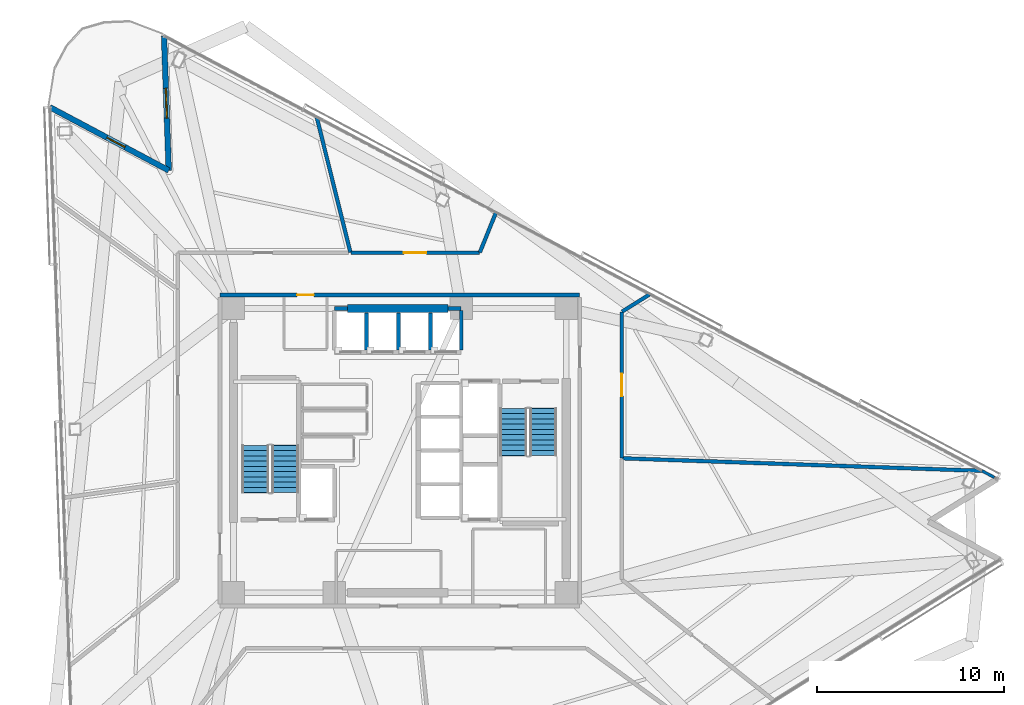
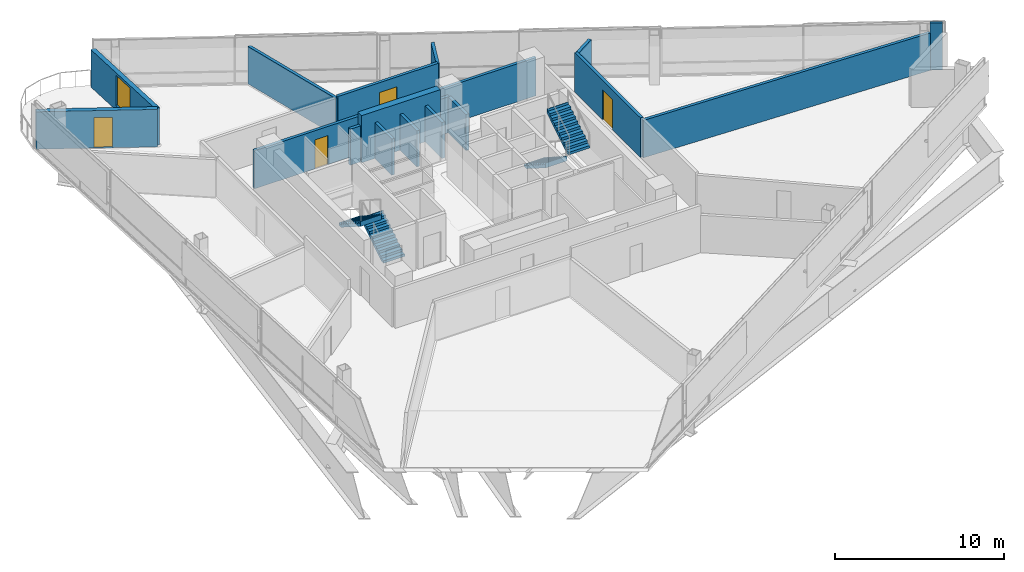
# One storey, part 14 of 20: 17 walls, 4 doors, 4 stair flights, 1 window, 5 openings, 2 elements without a shape of their own.
"""IFC4 building model written with IfcOpenShell, lengths in metres."""

from ifc_helpers import new_model, si_unit, direction, frame, frame_2d, origin, place, context, subcontext, project, spatial, polyline, rectangle, outline, extrude, material, layer, layer_set, type_object, element, fill, aggregate, save


model = new_model("IFC4")

# Units and contexts
model_context = context("Model", 3, precision=1e-05, world=origin(), true_north=direction((0.0, 1.0)))
body_context = subcontext(model_context, "Body", "Model", "MODEL_VIEW")
ifc_project = project(units=[si_unit("LENGTHUNIT", "METRE"), si_unit("AREAUNIT", "SQUARE_METRE"), si_unit("VOLUMEUNIT", "CUBIC_METRE"), si_unit("PLANEANGLEUNIT", "RADIAN"), si_unit("MASSUNIT", "GRAM", prefix="KILO")], contexts=[model_context])

# Site, building, storey
site_placement = place(None, origin())
site = spatial("IfcSite", under=ifc_project, at=site_placement, CompositionType="ELEMENT")
building_placement = place(site_placement, origin())
building = spatial("IfcBuilding", under=site, at=building_placement, Name="Tharavind Bronze Gate", CompositionType="ELEMENT")
storey_placement = place(building_placement, frame((0.0, 0.0, 138.800048828125)))
storey = spatial("IfcBuildingStorey", under=building, at=storey_placement, Name="L35", CompositionType="ELEMENT", Elevation=138.800048828125)

# Wall, opening, window
ifc_material_1 = material(Name="Concrete C40/50", Category="concrete")
ifc_layer_1 = layer(ifc_material_1, 0.300048828125)
ifc_layer_set_1 = layer_set([ifc_layer_1], Name="Concrete C40/50")
wall_type_1 = type_object("IfcWallType", Name="EXTERIOR SPANDREL WALL 300", PredefinedType="STANDARD", material=ifc_layer_set_1)
wall_1_placement = place(storey_placement, frame((-12.614013671875, 22.179931640625, 0.0), z_axis=(0.0, 0.0, 1.0), x_axis=(0.034925918675, -0.999389903994, 0.0)))
wall_1 = element("IfcWall", 1, at=wall_1_placement, inside=storey, type_object=wall_type_1, Name="L35 notch cheek wall 1A", PredefinedType="STANDARD", context=body_context, shape_type="SweptSolid", body=[
    extrude(rectangle(XDim=7.199951171875, YDim=0.300048828125, at=frame_2d((3.60009765625, 0.0))), origin(), (0.0, 0.0, 1.0), 2.704833984375),
])
opening_1_placement = place(wall_1_placement, frame((2.800048828125, 0.0, 0.324951171875)))
opening_1 = element("IfcOpeningElement", 2, at=opening_1_placement, cuts=wall_1, Name="Opening W05", PredefinedType="OPENING", context=body_context, shape_type="SweptSolid", body=[
    extrude(rectangle(XDim=1.60009765625, YDim=2.199951171875, at=frame_2d((0.800048828125, 1.10009765625))), frame((0.0, 0.15990234375, 0.0), z_axis=(0.0, -1.0, 0.0), x_axis=(1.0, 0.0, 0.0)), (0.0, 0.0, 1.0), 0.320048828125),
])
ifc_material_2 = material(Name="Bronze Aluminium & Low-E Glass", Category="aluminium")
window_type = type_object("IfcWindowType", Name="OFFICE NOTCH BRONZE WINDOW 1600X2200", PartitioningType="DOUBLE_PANEL_VERTICAL", PredefinedType="WINDOW", material=ifc_material_2)
window_placement = place(opening_1_placement, origin())
window = element("IfcWindow", 3, at=window_placement, inside=storey, type_object=window_type, Name="L35 exterior window WL-L35-NCB1-01", OverallHeight=2.199951171875, OverallWidth=1.60009765625, PartitioningType="SINGLE_PANEL", PredefinedType="WINDOW", context=body_context, shape_type="SweptSolid", body=[
    extrude(rectangle(XDim=1.60009765625, YDim=2.199951171875, at=frame_2d((0.800048828125, 1.10009765625))), frame((0.0, 0.030029296875, 0.0), z_axis=(0.0, -1.0, 0.0), x_axis=(1.0, 0.0, 0.0)), (0.0, 0.0, 1.0), 0.06005859375),
])
fill(opening_1, window)

# Wall, opening, door
wall_2_placement = place(storey_placement, frame((-12.362548828125, 14.984375, 0.0), z_axis=(0.0, 0.0, 1.0), x_axis=(-0.882950149473, 0.469466754463, 0.0)))
wall_2 = element("IfcWall", 4, at=wall_2_placement, inside=storey, type_object=wall_type_1, Name="L35 notch cheek wall 1B", PredefinedType="STANDARD", context=body_context, shape_type="SweptSolid", body=[
    extrude(rectangle(XDim=7.199951171875, YDim=0.300048828125, at=frame_2d((3.60009765625, 0.0))), origin(), (0.0, 0.0, 1.0), 2.704833984375),
])
opening_2_placement = place(wall_2_placement, frame((2.654052734375, 0.0, 0.0)))
opening_2 = element("IfcOpeningElement", 5, at=opening_2_placement, cuts=wall_2, Name="Opening ED04", PredefinedType="OPENING", context=body_context, shape_type="SweptSolid", body=[
    extrude(rectangle(XDim=1.10009765625, YDim=2.199951171875, at=frame_2d((0.550048828125, 1.10009765625))), frame((0.0, 0.15990234375, 0.0), z_axis=(0.0, -1.0, 0.0), x_axis=(1.0, 0.0, 0.0)), (0.0, 0.0, 1.0), 0.320048828125),
])
ifc_material_3 = material(Name="Bronze Aluminium & Toughened Glass", Category="aluminium")
door_type_1 = type_object("IfcDoorType", Name="TREE BALCONY ACCESS DOOR 1100X2200", OperationType="SINGLE_SWING_LEFT", PredefinedType="DOOR", material=ifc_material_3)
door_1_placement = place(opening_2_placement, frame((1.10009765625, 0.0, 0.0), z_axis=(0.0, 0.0, 1.0), x_axis=(-1.0, 0.0, 0.0)))
door_1 = element("IfcDoor", 6, at=door_1_placement, inside=storey, type_object=door_type_1, Name="L35 tree balcony access door", OperationType="SINGLE_SWING_LEFT", OverallHeight=2.199951171875, OverallWidth=1.10009765625, PredefinedType="DOOR", context=body_context, shape_type="SweptSolid", body=[
    extrude(rectangle(XDim=1.10009765625, YDim=2.199951171875, at=frame_2d((0.550048828125, 1.10009765625))), frame((0.0, 0.02490234375, 0.0), z_axis=(0.0, -1.0, 0.0), x_axis=(1.0, 0.0, 0.0)), (0.0, 0.0, 1.0), 0.050048828125),
])
fill(opening_2, door_1)

ifc_material_4 = material(Name="Aerated Concrete Block", Category="concrete")
ifc_layer_2 = layer(ifc_material_4, 0.199951171875)
ifc_layer_set_2 = layer_set([ifc_layer_2], Name="Aerated Concrete Block")
wall_type_2 = type_object("IfcWallType", Name="FIRE RATED PARTITION 200", PredefinedType="PARTITIONING", material=ifc_layer_set_2)
wall_3_placement = place(storey_placement, frame((9.6201171875, 8.320068359375, 0.0), z_axis=(0.0, 0.0, 1.0), x_axis=(-1.0, 0.0, 0.0)))
wall_3 = element("IfcWall", 7, at=wall_3_placement, inside=storey, type_object=wall_type_2, Name="L35 north core corridor wall", PredefinedType="PARTITIONING", context=body_context, shape_type="SweptSolid", body=[
    extrude(rectangle(XDim=19.240234375, YDim=0.199951171875, at=frame_2d((9.6201171875, 0.0))), origin(), (0.0, 0.0, 1.0), 2.7548828125),
])
opening_3_placement = place(wall_3_placement, frame((14.219970703125, 0.0, 0.0)))
opening_3 = element("IfcOpeningElement", 8, at=opening_3_placement, cuts=wall_3, Name="Opening ID07", PredefinedType="OPENING", context=body_context, shape_type="SweptSolid", body=[
    extrude(rectangle(XDim=0.89990234375, YDim=2.10009765625, at=frame_2d((0.449951171875, 1.050048828125))), frame((0.0, 0.11009765625, 0.0), z_axis=(0.0, -1.0, 0.0), x_axis=(1.0, 0.0, 0.0)), (0.0, 0.0, 1.0), 0.219951171875),
])
ifc_material_5 = material(Name="Galvanised Fire Steel", Category="steel")
door_type_2 = type_object("IfcDoorType", Name="PLANT AND RISER FIRE DOOR 900X2100", OperationType="SINGLE_SWING_LEFT", PredefinedType="DOOR", material=ifc_material_5)
door_2_placement = place(opening_3_placement, origin())
door_2 = element("IfcDoor", 9, at=door_2_placement, inside=storey, type_object=door_type_2, Name="L35 Electrical Switch Cupboard fire door", OperationType="SINGLE_SWING_LEFT", OverallHeight=2.10009765625, OverallWidth=0.89990234375, PredefinedType="DOOR", context=body_context, shape_type="SweptSolid", body=[
    extrude(rectangle(XDim=0.89990234375, YDim=2.10009765625, at=frame_2d((0.449951171875, 1.050048828125))), frame((0.0, 0.02490234375, 0.0), z_axis=(0.0, -1.0, 0.0), x_axis=(1.0, 0.0, 0.0)), (0.0, 0.0, 1.0), 0.050048828125),
])
fill(opening_3, door_2)

# Walls
wall_4_placement = place(storey_placement, frame((11.906005859375, -0.415771484375, 0.0), z_axis=(0.0, 0.0, 1.0), x_axis=(0.999390899128, -0.034897431724, 0.0)))
element("IfcWall", 10, at=wall_4_placement, inside=storey, type_object=wall_type_2, Name="L35 Public Restrooms Block partition", PredefinedType="PARTITIONING", context=body_context, shape_type="SweptSolid", body=[
    extrude(rectangle(XDim=19.245849609375, YDim=0.199951171875, at=frame_2d((9.623046875, 0.0))), origin(), (0.0, 0.0, 1.0), 2.704833984375),
])
wall_5_placement = place(storey_placement, frame((5.1376953125, 12.7158203125, 0.0), z_axis=(0.0, 0.0, 1.0), x_axis=(-0.374646634577, -0.927167675882, 0.0)))
element("IfcWall", 11, at=wall_5_placement, inside=storey, type_object=wall_type_2, Name="L35 Sky Garden View Lounge partition", PredefinedType="PARTITIONING", context=body_context, shape_type="SweptSolid", body=[
    extrude(rectangle(XDim=2.28662109375, YDim=0.199951171875, at=frame_2d((1.143310546875, 0.0))), origin(), (0.0, 0.0, 1.0), 2.704833984375),
])

# Wall, opening, door
wall_6_placement = place(storey_placement, frame((4.2578125, 10.580078125, 0.0), z_axis=(0.0, 0.0, 1.0), x_axis=(-1.0, 0.0, 0.0)))
wall_6 = element("IfcWall", 12, at=wall_6_placement, inside=storey, type_object=wall_type_2, Name="L35 Sky Garden View Lounge partition", PredefinedType="PARTITIONING", context=body_context, shape_type="SweptSolid", body=[
    extrude(rectangle(XDim=6.876220703125, YDim=0.199951171875, at=frame_2d((3.43798828125, 0.0))), origin(), (0.0, 0.0, 1.0), 2.85498046875),
])
opening_4_placement = place(wall_6_placement, frame((2.837890625, 0.0, 0.0)))
opening_4 = element("IfcOpeningElement", 13, at=opening_4_placement, cuts=wall_6, Name="Opening ID05", PredefinedType="OPENING", context=body_context, shape_type="SweptSolid", body=[
    extrude(rectangle(XDim=1.199951171875, YDim=2.14990234375, at=frame_2d((0.60009765625, 1.074951171875))), frame((0.0, 0.11009765625, 0.0), z_axis=(0.0, -1.0, 0.0), x_axis=(1.0, 0.0, 0.0)), (0.0, 0.0, 1.0), 0.219951171875),
])
ifc_material_6 = material(Name="Acoustic Laminated Glass", Category="glass")
door_type_3 = type_object("IfcDoorType", Name="MEETING ROOM GLAZED DOOR 1200X2150", OperationType="SINGLE_SWING_LEFT", PredefinedType="DOOR", material=ifc_material_6)
door_3_placement = place(opening_4_placement, origin())
door_3 = element("IfcDoor", 14, at=door_3_placement, inside=storey, type_object=door_type_3, Name="L35 Sky Garden View Lounge door", OperationType="SINGLE_SWING_LEFT", OverallHeight=2.14990234375, OverallWidth=1.199951171875, PredefinedType="DOOR", context=body_context, shape_type="SweptSolid", body=[
    extrude(rectangle(XDim=1.199951171875, YDim=2.14990234375, at=frame_2d((0.60009765625, 1.074951171875))), frame((0.0, 0.02490234375, 0.0), z_axis=(0.0, -1.0, 0.0), x_axis=(1.0, 0.0, 0.0)), (0.0, 0.0, 1.0), 0.050048828125),
])
fill(opening_4, door_3)

# Wall
wall_7_placement = place(storey_placement, frame((-2.642578125, 10.59912109375, 0.0), z_axis=(0.0, 0.0, 1.0), x_axis=(-0.241942663227, 0.970290548089, 0.0)))
element("IfcWall", 15, at=wall_7_placement, inside=storey, type_object=wall_type_2, Name="L35 Sky Garden View Lounge partition", PredefinedType="PARTITIONING", context=body_context, shape_type="SweptSolid", body=[
    extrude(rectangle(XDim=7.460205078125, YDim=0.199951171875, at=frame_2d((3.72998046875, 0.0))), origin(), (0.0, 0.0, 1.0), 2.704833984375),
])

# Wall, opening, door
wall_8_placement = place(storey_placement, frame((11.8798828125, -0.390625, 0.0), z_axis=(0.0, 0.0, 1.0), x_axis=(0.0, 1.0, 0.0)))
wall_8 = element("IfcWall", 16, at=wall_8_placement, inside=storey, type_object=wall_type_2, Name="L35 Strategy Room partition", PredefinedType="PARTITIONING", context=body_context, shape_type="SweptSolid", body=[
    extrude(rectangle(XDim=7.80029296875, YDim=0.199951171875, at=frame_2d((3.900146484375, 0.0))), origin(), (0.0, 0.0, 1.0), 2.85498046875),
])
opening_5_placement = place(wall_8_placement, frame((3.300048828125, 0.0, 0.0)))
opening_5 = element("IfcOpeningElement", 17, at=opening_5_placement, cuts=wall_8, Name="Opening ID05", PredefinedType="OPENING", context=body_context, shape_type="SweptSolid", body=[
    extrude(rectangle(XDim=1.199951171875, YDim=2.14990234375, at=frame_2d((0.60009765625, 1.074951171875))), frame((0.0, 0.11009765625, 0.0), z_axis=(0.0, -1.0, 0.0), x_axis=(1.0, 0.0, 0.0)), (0.0, 0.0, 1.0), 0.219951171875),
])
door_4_placement = place(opening_5_placement, origin())
door_4 = element("IfcDoor", 18, at=door_4_placement, inside=storey, type_object=door_type_3, Name="L35 Strategy Room door", OperationType="SINGLE_SWING_LEFT", OverallHeight=2.14990234375, OverallWidth=1.199951171875, PredefinedType="DOOR", context=body_context, shape_type="SweptSolid", body=[
    extrude(rectangle(XDim=1.199951171875, YDim=2.14990234375, at=frame_2d((0.60009765625, 1.074951171875))), frame((0.0, 0.02490234375, 0.0), z_axis=(0.0, -1.0, 0.0), x_axis=(1.0, 0.0, 0.0)), (0.0, 0.0, 1.0), 0.050048828125),
])
fill(opening_5, door_4)

# Walls
wall_9_placement = place(storey_placement, frame((11.891845703125, 7.430908203125, 0.0), z_axis=(0.0, 0.0, 1.0), x_axis=(0.848045643795, 0.529923188811, 0.0)))
element("IfcWall", 19, at=wall_9_placement, inside=storey, type_object=wall_type_2, Name="L35 Strategy Room partition", PredefinedType="PARTITIONING", context=body_context, shape_type="SweptSolid", body=[
    extrude(rectangle(XDim=1.73828125, YDim=0.199951171875, at=frame_2d((0.869140625, 0.0))), origin(), (0.0, 0.0, 1.0), 2.704833984375),
])
ifc_material_7 = material(Name="Twin Stud Acoustic Gypsum", Category="gypsum")
ifc_layer_3 = layer(ifc_material_7, 0.14990234375)
ifc_layer_set_3 = layer_set([ifc_layer_3], Name="Twin Stud Acoustic Gypsum")
wall_type_3 = type_object("IfcWallType", Name="INTERIOR PARTITION WALL 150", PredefinedType="PARTITIONING", material=ifc_layer_set_3)
wall_10_placement = place(storey_placement, frame((31.15087890625, -1.09033203125, 0.0), z_axis=(0.0, 0.0, 1.0), x_axis=(0.883026217121, -0.469323662175, 0.0)))
element("IfcWall", 20, at=wall_10_placement, inside=storey, type_object=wall_type_3, Name="L35 Public Restrooms Block partition", PredefinedType="PARTITIONING", context=body_context, shape_type="SweptSolid", body=[
    extrude(rectangle(XDim=0.74169921875, YDim=0.14990234375, at=frame_2d((0.370849609375, 0.0))), origin(), (0.0, 0.0, 1.0), 3.409912109375),
])
ifc_material_8 = material(Name="Concrete C60/75", Category="concrete")
ifc_layer_4 = layer(ifc_material_8, 0.449951171875)
ifc_layer_set_4 = layer_set([ifc_layer_4], Name="Concrete C60/75")
wall_type_4 = type_object("IfcWallType", Name="RC CORE SHEAR WALL 450", PredefinedType="SHEAR", material=ifc_layer_set_4)
wall_11_placement = place(storey_placement, frame((-2.800048828125, 7.60009765625, 0.0), z_axis=(0.0, 0.0, 1.0), x_axis=(1.0, 0.0, 0.0)))
element("IfcWall", 21, at=wall_11_placement, inside=storey, type_object=wall_type_4, Name="L35 north core shear wall", PredefinedType="SHEAR", context=body_context, shape_type="SweptSolid", body=[
    extrude(rectangle(XDim=5.380126953125, YDim=0.449951171875, at=frame_2d((2.68994140625, 0.0))), origin(), (0.0, 0.0, 1.0), 3.409912109375),
])
ifc_layer_5 = layer(ifc_material_1, 0.199951171875)
ifc_layer_set_5 = layer_set([ifc_layer_5], Name="Concrete C40/50")
wall_type_5 = type_object("IfcWallType", Name="SHAFT ENCLOSURE WALL 200", PredefinedType="PARTITIONING", material=ifc_layer_set_5)
wall_12_placement = place(storey_placement, frame((-3.5, 7.60009765625, 0.0), z_axis=(0.0, 0.0, 1.0), x_axis=(1.0, 0.0, 0.0)))
element("IfcWall", 22, at=wall_12_placement, inside=storey, type_object=wall_type_5, Name="L35 lift PL5 shaft N enclosure wall", PredefinedType="PARTITIONING", context=body_context, shape_type="SweptSolid", body=[
    extrude(rectangle(XDim=0.699951171875, YDim=0.199951171875, at=frame_2d((0.35009765625, 0.0))), origin(), (0.0, 0.0, 1.0), 2.60498046875),
])
for number, where, z_axis, x_axis, name in (
    (23, (-1.78759765625, 5.3798828125, 0.0), (0.0, 0.0, 1.0), (0.0, 1.0, 0.0), "L35 lift PL5 shaft E enclosure wall"),
    (24, (-0.074951171875, 5.3798828125, 0.0), (0.0, 0.0, 1.0), (0.0, 1.0, 0.0), "L35 lift PL6 shaft E enclosure wall"),
    (25, (1.637451171875, 5.3798828125, 0.0), (0.0, 0.0, 1.0), (0.0, 1.0, 0.0), "L35 lift PL7 shaft E enclosure wall"),
):
    element("IfcWall", number, at=place(storey_placement, frame(where, z_axis=z_axis, x_axis=x_axis)), inside=storey, type_object=wall_type_5, Name=name, PredefinedType="PARTITIONING", context=body_context, shape_type="SweptSolid", body=[
        extrude(rectangle(XDim=1.990234375, YDim=0.199951171875, at=frame_2d((0.9951171875, 0.0))), origin(), (0.0, 0.0, 1.0), 2.60498046875),
    ])
wall_13_placement = place(storey_placement, frame((2.580078125, 7.60009765625, 0.0), z_axis=(0.0, 0.0, 1.0), x_axis=(1.0, 0.0, 0.0)))
element("IfcWall", 26, at=wall_13_placement, inside=storey, type_object=wall_type_5, Name="L35 lift PL8 shaft N enclosure wall", PredefinedType="PARTITIONING", context=body_context, shape_type="SweptSolid", body=[
    extrude(rectangle(XDim=0.699951171875, YDim=0.199951171875, at=frame_2d((0.35009765625, 0.0))), origin(), (0.0, 0.0, 1.0), 2.60498046875),
])
wall_14_placement = place(storey_placement, frame((3.280029296875, 5.3798828125, 0.0), z_axis=(0.0, 0.0, 1.0), x_axis=(0.0, 1.0, 0.0)))
element("IfcWall", 27, at=wall_14_placement, inside=storey, type_object=wall_type_5, Name="L35 lift PL8 shaft E enclosure wall", PredefinedType="PARTITIONING", context=body_context, shape_type="SweptSolid", body=[
    extrude(rectangle(XDim=2.115234375, YDim=0.199951171875, at=frame_2d((1.0576171875, 0.0))), origin(), (0.0, 0.0, 1.0), 2.60498046875),
])

# Stair, stair flights
stair_type = type_object("IfcStairType", Name="CORE HALF TURN STAIR 1450", PredefinedType="HALF_TURN_STAIR", material=ifc_material_1)
stair_1_placement = place(storey_placement, origin())
stair_1 = element("IfcStair", 28, at=stair_1_placement, inside=storey, type_object=stair_type, Name="L35 Protected Exit Stair ST1", PredefinedType="HALF_TURN_STAIR")
stair_flight_type = type_object("IfcStairFlightType", Name="CORE STAIR FLIGHT 1450", PredefinedType="STRAIGHT", material=ifc_material_1)
stair_flight_1_placement = place(storey_placement, frame((-6.125, -2.25, 0.0), z_axis=(0.0, 0.0, 1.0), x_axis=(0.0, 1.0, 0.0)))
stair_flight_1 = element("IfcStairFlight", 29, at=stair_flight_1_placement, type_object=stair_flight_type, Name="ST1 flight 1", NumberOfRisers=10, NumberOfTreads=9, PredefinedType="STRAIGHT", RiserHeight=0.18, TreadLength=0.28, context=body_context, shape_type="SweptSolid", body=[
    extrude(outline(polyline([(0.0, 0.0), (0.0, 0.179931640625), (0.280029296875, 0.179931640625), (0.280029296875, 0.360107421875), (0.56005859375, 0.360107421875), (0.56005859375, 0.5400390625), (0.840087890625, 0.5400390625), (0.840087890625, 0.719970703125), (1.1201171875, 0.719970703125), (1.1201171875, 0.89990234375), (1.39990234375, 0.89990234375), (1.39990234375, 1.080078125), (1.679931640625, 1.080078125), (1.679931640625, 1.260009765625), (1.9599609375, 1.260009765625), (1.9599609375, 1.43994140625), (2.239990234375, 1.43994140625), (2.239990234375, 1.6201171875), (2.52001953125, 1.6201171875), (2.52001953125, 1.800048828125), (2.555908203125, 1.800048828125), (2.555908203125, 1.44189453125), (0.277099609375, 0.0), (0.0, 0.0)])), frame((0.0, 0.72509765625, 0.0), z_axis=(0.0, -1.0, 0.0), x_axis=(1.0, 0.0, 0.0)), (0.0, 0.0, 1.0), 1.449951171875),
])
stair_flight_2_placement = place(storey_placement, frame((-7.72509765625, 0.27001953125, 1.800048828125), z_axis=(0.0, 0.0, 1.0), x_axis=(0.0, -1.0, 0.0)))
stair_flight_2 = element("IfcStairFlight", 30, at=stair_flight_2_placement, type_object=stair_flight_type, Name="ST1 flight 2", NumberOfRisers=10, NumberOfTreads=9, PredefinedType="STRAIGHT", RiserHeight=0.18, TreadLength=0.28, context=body_context, shape_type="SweptSolid", body=[
    extrude(outline(polyline([(0.0, 0.0), (0.0, 0.179931640625), (0.280029296875, 0.179931640625), (0.280029296875, 0.360107421875), (0.56005859375, 0.360107421875), (0.56005859375, 0.5400390625), (0.840087890625, 0.5400390625), (0.840087890625, 0.719970703125), (1.1201171875, 0.719970703125), (1.1201171875, 0.89990234375), (1.39990234375, 0.89990234375), (1.39990234375, 1.080078125), (1.679931640625, 1.080078125), (1.679931640625, 1.260009765625), (1.9599609375, 1.260009765625), (1.9599609375, 1.43994140625), (2.239990234375, 1.43994140625), (2.239990234375, 1.6201171875), (2.52001953125, 1.6201171875), (2.52001953125, 1.800048828125), (2.555908203125, 1.800048828125), (2.555908203125, 1.44189453125), (0.277099609375, 0.0), (0.0, 0.0)])), frame((0.0, 0.72509765625, 0.0), z_axis=(0.0, -1.0, 0.0), x_axis=(1.0, 0.0, 0.0)), (0.0, 0.0, 1.0), 1.449951171875),
])
aggregate(stair_1, [stair_flight_1, stair_flight_2])

stair_2_placement = place(storey_placement, origin())
stair_2 = element("IfcStair", 31, at=stair_2_placement, inside=storey, type_object=stair_type, Name="L35 Protected Exit Stair ST2", PredefinedType="HALF_TURN_STAIR")
stair_flight_3_placement = place(storey_placement, frame((6.074951171875, 2.25, 0.0), z_axis=(0.0, 0.0, 1.0), x_axis=(0.0, -1.0, 0.0)))
stair_flight_3 = element("IfcStairFlight", 32, at=stair_flight_3_placement, type_object=stair_flight_type, Name="ST2 flight 1", NumberOfRisers=10, NumberOfTreads=9, PredefinedType="STRAIGHT", RiserHeight=0.18, TreadLength=0.28, context=body_context, shape_type="SweptSolid", body=[
    extrude(outline(polyline([(0.0, 0.0), (0.0, 0.179931640625), (0.280029296875, 0.179931640625), (0.280029296875, 0.360107421875), (0.56005859375, 0.360107421875), (0.56005859375, 0.5400390625), (0.840087890625, 0.5400390625), (0.840087890625, 0.719970703125), (1.1201171875, 0.719970703125), (1.1201171875, 0.89990234375), (1.39990234375, 0.89990234375), (1.39990234375, 1.080078125), (1.679931640625, 1.080078125), (1.679931640625, 1.260009765625), (1.9599609375, 1.260009765625), (1.9599609375, 1.43994140625), (2.239990234375, 1.43994140625), (2.239990234375, 1.6201171875), (2.52001953125, 1.6201171875), (2.52001953125, 1.800048828125), (2.555908203125, 1.800048828125), (2.555908203125, 1.44189453125), (0.277099609375, 0.0), (0.0, 0.0)])), frame((0.0, 0.72509765625, 0.0), z_axis=(0.0, -1.0, 0.0), x_axis=(1.0, 0.0, 0.0)), (0.0, 0.0, 1.0), 1.449951171875),
])
stair_flight_4_placement = place(storey_placement, frame((7.675048828125, -0.27001953125, 1.800048828125), z_axis=(0.0, 0.0, 1.0), x_axis=(0.0, 1.0, 0.0)))
stair_flight_4 = element("IfcStairFlight", 33, at=stair_flight_4_placement, type_object=stair_flight_type, Name="ST2 flight 2", NumberOfRisers=10, NumberOfTreads=9, PredefinedType="STRAIGHT", RiserHeight=0.18, TreadLength=0.28, context=body_context, shape_type="SweptSolid", body=[
    extrude(outline(polyline([(0.0, 0.0), (0.0, 0.179931640625), (0.280029296875, 0.179931640625), (0.280029296875, 0.360107421875), (0.56005859375, 0.360107421875), (0.56005859375, 0.5400390625), (0.840087890625, 0.5400390625), (0.840087890625, 0.719970703125), (1.1201171875, 0.719970703125), (1.1201171875, 0.89990234375), (1.39990234375, 0.89990234375), (1.39990234375, 1.080078125), (1.679931640625, 1.080078125), (1.679931640625, 1.260009765625), (1.9599609375, 1.260009765625), (1.9599609375, 1.43994140625), (2.239990234375, 1.43994140625), (2.239990234375, 1.6201171875), (2.52001953125, 1.6201171875), (2.52001953125, 1.800048828125), (2.555908203125, 1.800048828125), (2.555908203125, 1.44189453125), (0.277099609375, 0.0), (0.0, 0.0)])), frame((0.0, 0.72509765625, 0.0), z_axis=(0.0, -1.0, 0.0), x_axis=(1.0, 0.0, 0.0)), (0.0, 0.0, 1.0), 1.449951171875),
])
aggregate(stair_2, [stair_flight_3, stair_flight_4])

save(model, "model.ifc")
